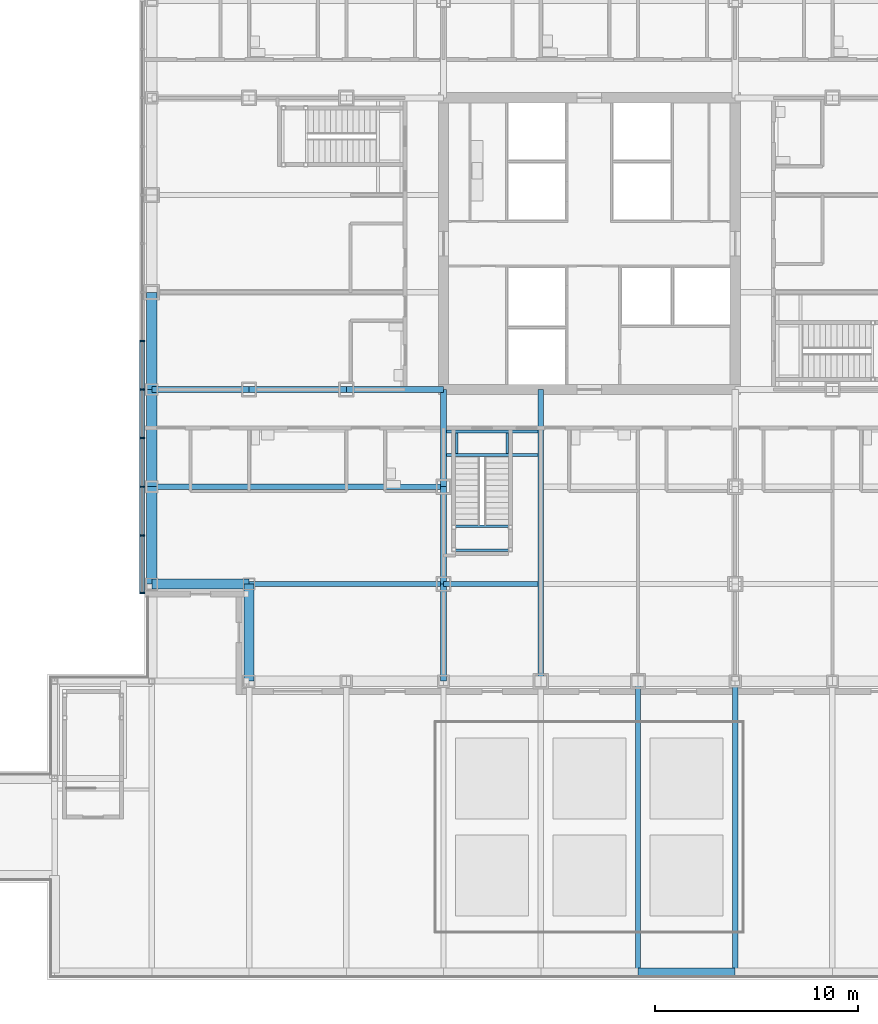
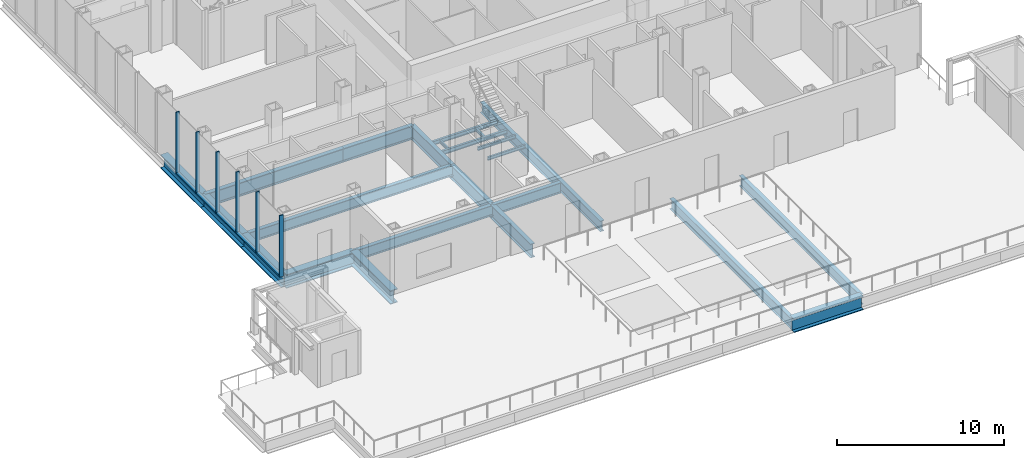
# One storey, part 9 of 24: 24 beams, 11 members, 1 element without a shape of its own.
"""IFC4 building model written with IfcOpenShell, lengths in metres."""

from ifc_helpers import new_model, si_unit, direction, frame, origin, origin_2d, place, context, subcontext, project, spatial, rectangle, i_section, extrude, material, material_profile, profile_set, type_object, element, aggregate, save


model = new_model("IFC4")

# Units and contexts
model_context = context("Model", 3, precision=1e-05, world=origin(), true_north=direction((0.0, 1.0)))
body_context = subcontext(model_context, "Body", "Model", "MODEL_VIEW")
ifc_project = project(units=[si_unit("LENGTHUNIT", "METRE"), si_unit("AREAUNIT", "SQUARE_METRE"), si_unit("VOLUMEUNIT", "CUBIC_METRE"), si_unit("PLANEANGLEUNIT", "RADIAN"), si_unit("MASSUNIT", "GRAM", prefix="KILO")], contexts=[model_context])

# Site, building, storey
site_placement = place(None, origin())
site = spatial("IfcSite", under=ifc_project, at=site_placement, CompositionType="ELEMENT")
building_placement = place(site_placement, origin())
building = spatial("IfcBuilding", under=site, at=building_placement, Name="Kvirike Care Tower", CompositionType="ELEMENT")
storey_placement = place(building_placement, frame((0.0, 0.0, 22.5)))
storey = spatial("IfcBuildingStorey", under=building, at=storey_placement, Name="L05", CompositionType="ELEMENT", Elevation=22.5)

# Curtain wall, members
ifc_material_1 = material(Name="Anodised aluminium stick system", Category="aluminium")
curtain_wall_type = type_object("IfcCurtainWallType", Name="CW-P PODIUM STICK CURTAIN WALL", PredefinedType="NOTDEFINED", material=ifc_material_1)
curtain_wall_placement = place(storey_placement, origin())
curtain_wall = element("IfcCurtainWall", 1, at=curtain_wall_placement, inside=storey, type_object=curtain_wall_type, Name="Curtain wall L05 face 1", PredefinedType="NOTDEFINED")
ifc_material_2 = material(Name="Bronze anodised aluminium mullion", Category="aluminium")
ifc_material_profile_1 = material_profile(ifc_material_2, rectangle(XDim=0.06494140625, YDim=0.25, at=origin_2d()), Name="CW-P MULLION 65x250")
ifc_profile_set_1 = profile_set([ifc_material_profile_1], Name="Bronze anodised aluminium mullion")
member_type_1 = type_object("IfcMemberType", Name="CW-P MULLION 65x250", PredefinedType="MULLION", material=ifc_profile_set_1)
member_1_placement = place(storey_placement, frame((-0.47509765625, 31.199951171875, 0.0), z_axis=(0.0, 0.0, 1.0), x_axis=(0.0, -1.0, 0.0)))
member_1 = element("IfcMember", 2, at=member_1_placement, type_object=member_type_1, Name="CW-P mullion L05 face 1.10", PredefinedType="MULLION", context=body_context, shape_type="SweptSolid", body=[
    extrude(rectangle(XDim=0.06494140625, YDim=0.25, at=origin_2d()), origin(), (0.0, 0.0, 1.0), 4.5),
])
member_2_placement = place(storey_placement, frame((-0.47509765625, 28.800048828125, 0.0), z_axis=(0.0, 0.0, 1.0), x_axis=(0.0, -1.0, 0.0)))
member_2 = element("IfcMember", 3, at=member_2_placement, type_object=member_type_1, Name="CW-P mullion L05 face 1.11", PredefinedType="MULLION", context=body_context, shape_type="SweptSolid", body=[
    extrude(rectangle(XDim=0.06494140625, YDim=0.25, at=origin_2d()), origin(), (0.0, 0.0, 1.0), 4.5),
])
member_3_placement = place(storey_placement, frame((-0.47509765625, 26.39990234375, 0.0), z_axis=(0.0, 0.0, 1.0), x_axis=(0.0, -1.0, 0.0)))
member_3 = element("IfcMember", 4, at=member_3_placement, type_object=member_type_1, Name="CW-P mullion L05 face 1.12", PredefinedType="MULLION", context=body_context, shape_type="SweptSolid", body=[
    extrude(rectangle(XDim=0.06494140625, YDim=0.25, at=origin_2d()), origin(), (0.0, 0.0, 1.0), 4.5),
])
member_4_placement = place(storey_placement, frame((-0.47509765625, 24.0, 0.0), z_axis=(0.0, 0.0, 1.0), x_axis=(0.0, -1.0, 0.0)))
member_4 = element("IfcMember", 5, at=member_4_placement, type_object=member_type_1, Name="CW-P mullion L05 face 1.13", PredefinedType="MULLION", context=body_context, shape_type="SweptSolid", body=[
    extrude(rectangle(XDim=0.06494140625, YDim=0.25, at=origin_2d()), origin(), (0.0, 0.0, 1.0), 4.5),
])
member_5_placement = place(storey_placement, frame((-0.47509765625, 21.60009765625, 0.0), z_axis=(0.0, 0.0, 1.0), x_axis=(0.0, -1.0, 0.0)))
member_5 = element("IfcMember", 6, at=member_5_placement, type_object=member_type_1, Name="CW-P mullion L05 face 1.14", PredefinedType="MULLION", context=body_context, shape_type="SweptSolid", body=[
    extrude(rectangle(XDim=0.06494140625, YDim=0.25, at=origin_2d()), origin(), (0.0, 0.0, 1.0), 4.5),
])
member_6_placement = place(storey_placement, frame((-0.47509765625, 18.757568359375, 0.0), z_axis=(0.0, 0.0, 1.0), x_axis=(0.0, -1.0, 0.0)))
member_6 = element("IfcMember", 7, at=member_6_placement, type_object=member_type_1, Name="CW-P mullion L05 face 1.15", PredefinedType="MULLION", context=body_context, shape_type="SweptSolid", body=[
    extrude(rectangle(XDim=0.06494140625, YDim=0.25, at=origin_2d()), origin(), (0.0, 0.0, 1.0), 4.5),
])
ifc_material_3 = material(Name="Bronze anodised aluminium transom", Category="aluminium")
ifc_material_profile_2 = material_profile(ifc_material_3, rectangle(XDim=0.25, YDim=0.10009765625, at=origin_2d()), Name="CW-P TRANSOM 250x100")
ifc_profile_set_2 = profile_set([ifc_material_profile_2], Name="Bronze anodised aluminium transom")
member_type_2 = type_object("IfcMemberType", Name="CW-P TRANSOM 250x100", PredefinedType="USERDEFINED", material=ifc_profile_set_2)
member_7_placement = place(storey_placement, frame((-0.47509765625, 31.16748046875, 0.050048828125), z_axis=(0.0, -1.0, 0.0), x_axis=(1.0, 0.0, 0.0)))
member_7 = element("IfcMember", 8, at=member_7_placement, type_object=member_type_2, Name="CW-P sill transom L05 face 1.10", ObjectType="TRANSOM", PredefinedType="USERDEFINED", context=body_context, shape_type="SweptSolid", body=[
    extrude(rectangle(XDim=0.25, YDim=0.10009765625, at=origin_2d()), origin(), (0.0, 0.0, 1.0), 2.3349609375),
])
member_8_placement = place(storey_placement, frame((-0.47509765625, 28.767578125, 0.050048828125), z_axis=(0.0, -1.0, 0.0), x_axis=(1.0, 0.0, 0.0)))
member_8 = element("IfcMember", 9, at=member_8_placement, type_object=member_type_2, Name="CW-P sill transom L05 face 1.11", ObjectType="TRANSOM", PredefinedType="USERDEFINED", context=body_context, shape_type="SweptSolid", body=[
    extrude(rectangle(XDim=0.25, YDim=0.10009765625, at=origin_2d()), origin(), (0.0, 0.0, 1.0), 2.3349609375),
])
member_9_placement = place(storey_placement, frame((-0.47509765625, 26.367431640625, 0.050048828125), z_axis=(0.0, -1.0, 0.0), x_axis=(1.0, 0.0, 0.0)))
member_9 = element("IfcMember", 10, at=member_9_placement, type_object=member_type_2, Name="CW-P sill transom L05 face 1.12", ObjectType="TRANSOM", PredefinedType="USERDEFINED", context=body_context, shape_type="SweptSolid", body=[
    extrude(rectangle(XDim=0.25, YDim=0.10009765625, at=origin_2d()), origin(), (0.0, 0.0, 1.0), 2.3349609375),
])
member_10_placement = place(storey_placement, frame((-0.47509765625, 23.967529296875, 0.050048828125), z_axis=(0.0, -1.0, 0.0), x_axis=(1.0, 0.0, 0.0)))
member_10 = element("IfcMember", 11, at=member_10_placement, type_object=member_type_2, Name="CW-P sill transom L05 face 1.13", ObjectType="TRANSOM", PredefinedType="USERDEFINED", context=body_context, shape_type="SweptSolid", body=[
    extrude(rectangle(XDim=0.25, YDim=0.10009765625, at=origin_2d()), origin(), (0.0, 0.0, 1.0), 2.3349609375),
])
member_11_placement = place(storey_placement, frame((-0.47509765625, 21.5673828125, 0.050048828125), z_axis=(0.0, -1.0, 0.0), x_axis=(1.0, 0.0, 0.0)))
member_11 = element("IfcMember", 12, at=member_11_placement, type_object=member_type_2, Name="CW-P sill transom L05 face 1.14", ObjectType="TRANSOM", PredefinedType="USERDEFINED", context=body_context, shape_type="SweptSolid", body=[
    extrude(rectangle(XDim=0.25, YDim=0.10009765625, at=origin_2d()), origin(), (0.0, 0.0, 1.0), 2.77734375),
])
aggregate(curtain_wall, [member_1, member_2, member_3, member_4, member_5, member_6, member_7, member_8, member_9, member_10, member_11])

# Beams
ifc_material_4 = material(Name="Steel S355", Category="steel")
ifc_material_profile_3 = material_profile(ifc_material_4, i_section(OverallWidth=0.26806640625, OverallDepth=0.77001953125, WebThickness=0.015625, FlangeThickness=0.025390625, FilletRadius=0.01708984375, at=origin_2d()), Name="IPE 750x196")
ifc_profile_set_3 = profile_set([ifc_material_profile_3], Name="Steel S355")
beam_type_1 = type_object("IfcBeamType", Name="FLOOR BEAM IPE 750x196", PredefinedType="BEAM", material=ifc_profile_set_3)
beam_1_placement = place(storey_placement, frame((4.800048828125, 19.199951171875, -0.554931640625), z_axis=(1.0, 0.0, 0.0), x_axis=(0.0, 1.0, 0.0)))
element("IfcBeam", 13, at=beam_1_placement, inside=storey, type_object=beam_type_1, Name="Floor Beam E4-E6 L05", PredefinedType="BEAM", context=body_context, shape_type="SweptSolid", body=[
    extrude(i_section(OverallWidth=0.26806640625, OverallDepth=0.77001953125, WebThickness=0.015625, FlangeThickness=0.025390625, FilletRadius=0.01708984375, at=origin_2d()), origin(), (0.0, 0.0, 1.0), 9.599853515625),
])
beam_2_placement = place(storey_placement, frame((14.39990234375, 19.199951171875, -0.554931640625), z_axis=(1.0, 0.0, 0.0), x_axis=(0.0, 1.0, 0.0)))
element("IfcBeam", 14, at=beam_2_placement, inside=storey, type_object=beam_type_1, Name="Floor Beam E6-E7 L05", PredefinedType="BEAM", context=body_context, shape_type="SweptSolid", body=[
    extrude(i_section(OverallWidth=0.26806640625, OverallDepth=0.77001953125, WebThickness=0.015625, FlangeThickness=0.025390625, FilletRadius=0.01708984375, at=origin_2d()), origin(), (0.0, 0.0, 1.0), 4.666015625),
])
beam_3_placement = place(storey_placement, frame((0.0, 24.0, -0.554931640625), z_axis=(1.0, 0.0, 0.0), x_axis=(0.0, 1.0, 0.0)))
element("IfcBeam", 15, at=beam_3_placement, inside=storey, type_object=beam_type_1, Name="Floor Beam F3-F6 L05", PredefinedType="BEAM", context=body_context, shape_type="SweptSolid", body=[
    extrude(i_section(OverallWidth=0.26806640625, OverallDepth=0.77001953125, WebThickness=0.015625, FlangeThickness=0.025390625, FilletRadius=0.01708984375, at=origin_2d()), origin(), (0.0, 0.0, 1.0), 14.39990234375),
])
beam_4_placement = place(storey_placement, frame((19.199951171875, 14.39990234375, -0.554931640625), z_axis=(0.0, 1.0, 0.0), x_axis=(-1.0, 0.0, 0.0)))
element("IfcBeam", 16, at=beam_4_placement, inside=storey, type_object=beam_type_1, Name="Floor Beam D7-G7 L05", PredefinedType="BEAM", context=body_context, shape_type="SweptSolid", body=[
    extrude(i_section(OverallWidth=0.26806640625, OverallDepth=0.77001953125, WebThickness=0.015625, FlangeThickness=0.025390625, FilletRadius=0.01708984375, at=origin_2d()), origin(), (0.0, 0.0, 1.0), 14.400146484375),
])
for number, where, z_axis, x_axis, name in (
    (17, (24.0, 0.0, -0.554931640625), (0.0, 1.0, 0.0), (-1.0, 0.0, 0.0), "Floor Beam A8-D8 L05"),
    (18, (28.800048828125, 0.0, -0.554931640625), (0.0, 1.0, 0.0), (-1.0, 0.0, 0.0), "Floor Beam A9-D9 L05"),
):
    element("IfcBeam", number, at=place(storey_placement, frame(where, z_axis=z_axis, x_axis=x_axis)), inside=storey, type_object=beam_type_1, Name=name, PredefinedType="BEAM", context=body_context, shape_type="SweptSolid", body=[
        extrude(i_section(OverallWidth=0.26806640625, OverallDepth=0.77001953125, WebThickness=0.015625, FlangeThickness=0.025390625, FilletRadius=0.01708984375, at=origin_2d()), origin(), (0.0, 0.0, 1.0), 14.39990234375),
    ])
ifc_material_5 = material(Name="Steel S355", Category="steel")
ifc_material_profile_4 = material_profile(ifc_material_5, i_section(OverallWidth=0.300048828125, OverallDepth=1.0, WebThickness=0.01904296875, FlangeThickness=0.035888671875, FilletRadius=0.030029296875, at=origin_2d()), Name="HE 1000 B")
ifc_profile_set_4 = profile_set([ifc_material_profile_4], Name="Steel S355")
beam_type_2 = type_object("IfcBeamType", Name="FRAME BEAM HE 1000 B", PredefinedType="BEAM", material=ifc_profile_set_4)
for number, where, z_axis, x_axis, name in (
    (19, (0.0, 28.800048828125, -0.669921875), (1.0, 0.0, 0.0), (0.0, 1.0, 0.0), "Frame Beam G3-G4 L05"),
    (20, (4.800048828125, 28.800048828125, -0.669921875), (1.0, 0.0, 0.0), (0.0, 1.0, 0.0), "Frame Beam G4-G5 L05"),
):
    element("IfcBeam", number, at=place(storey_placement, frame(where, z_axis=z_axis, x_axis=x_axis)), inside=storey, type_object=beam_type_2, Name=name, PredefinedType="BEAM", context=body_context, shape_type="SweptSolid", body=[
        extrude(i_section(OverallWidth=0.300048828125, OverallDepth=1.0, WebThickness=0.01904296875, FlangeThickness=0.035888671875, FilletRadius=0.030029296875, at=origin_2d()), origin(), (0.0, 0.0, 1.0), 4.800048828125),
    ])
beam_5_placement = place(storey_placement, frame((9.60009765625, 28.800048828125, -0.669921875), z_axis=(1.0, 0.0, 0.0), x_axis=(0.0, 1.0, 0.0)))
element("IfcBeam", 21, at=beam_5_placement, inside=storey, type_object=beam_type_2, Name="Frame Beam G5-G6 L05", PredefinedType="BEAM", context=body_context, shape_type="SweptSolid", body=[
    extrude(i_section(OverallWidth=0.300048828125, OverallDepth=1.0, WebThickness=0.01904296875, FlangeThickness=0.035888671875, FilletRadius=0.030029296875, at=origin_2d()), origin(), (0.0, 0.0, 1.0), 4.7998046875),
])
for number, where, z_axis, x_axis, name in (
    (22, (14.39990234375, 14.39990234375, -0.669921875), (0.0, 1.0, 0.0), (-1.0, 0.0, 0.0), "Frame Beam D6-E6 L05"),
    (23, (14.39990234375, 19.199951171875, -0.669921875), (0.0, 1.0, 0.0), (-1.0, 0.0, 0.0), "Frame Beam E6-F6 L05"),
    (24, (14.39990234375, 24.0, -0.669921875), (0.0, 1.0, 0.0), (-1.0, 0.0, 0.0), "Frame Beam F6-G6 L05"),
):
    element("IfcBeam", number, at=place(storey_placement, frame(where, z_axis=z_axis, x_axis=x_axis)), inside=storey, type_object=beam_type_2, Name=name, PredefinedType="BEAM", context=body_context, shape_type="SweptSolid", body=[
        extrude(i_section(OverallWidth=0.300048828125, OverallDepth=1.0, WebThickness=0.01904296875, FlangeThickness=0.035888671875, FilletRadius=0.030029296875, at=origin_2d()), origin(), (0.0, 0.0, 1.0), 4.800048828125),
    ])
ifc_material_6 = material(Name="Steel S355", Category="steel")
ifc_material_profile_5 = material_profile(ifc_material_6, i_section(OverallWidth=0.5, OverallDepth=1.0, WebThickness=0.030029296875, FlangeThickness=0.06005859375, at=origin_2d()), Name="PG 1000x500x30x60")
ifc_profile_set_5 = profile_set([ifc_material_profile_5], Name="Steel S355")
beam_type_3 = type_object("IfcBeamType", Name="SPANDREL PG 1000x500x30x60", PredefinedType="SPANDREL", material=ifc_profile_set_5)
for number, where, z_axis, x_axis, name in (
    (25, (24.0, 0.0, -0.669921875), (1.0, 0.0, 0.0), (0.0, 1.0, 0.0), "Spandrel A8-A9 L05"),
    (26, (0.0, 19.199951171875, -0.669921875), (1.0, 0.0, 0.0), (0.0, 1.0, 0.0), "Spandrel E3-E4 L05"),
    (27, (0.0, 19.199951171875, -0.669921875), (0.0, 1.0, 0.0), (-1.0, 0.0, 0.0), "Spandrel E3-F3 L05"),
    (28, (0.0, 24.0, -0.669921875), (0.0, 1.0, 0.0), (-1.0, 0.0, 0.0), "Spandrel F3-G3 L05"),
    (29, (0.0, 28.800048828125, -0.669921875), (0.0, 1.0, 0.0), (-1.0, 0.0, 0.0), "Spandrel G3-H3 L05"),
    (30, (4.800048828125, 14.39990234375, -0.669921875), (0.0, 1.0, 0.0), (-1.0, 0.0, 0.0), "Spandrel D4-E4 L05"),
):
    element("IfcBeam", number, at=place(storey_placement, frame(where, z_axis=z_axis, x_axis=x_axis)), inside=storey, type_object=beam_type_3, Name=name, PredefinedType="SPANDREL", context=body_context, shape_type="SweptSolid", body=[
        extrude(i_section(OverallWidth=0.5, OverallDepth=1.0, WebThickness=0.030029296875, FlangeThickness=0.06005859375, at=origin_2d()), origin(), (0.0, 0.0, 1.0), 4.800048828125),
    ])
ifc_material_7 = material(Name="Steel S355", Category="steel")
ifc_material_profile_6 = material_profile(ifc_material_7, i_section(OverallWidth=0.1201171875, OverallDepth=0.239990234375, WebThickness=0.006103515625, FlangeThickness=0.009765625, FilletRadius=0.014892578125, at=origin_2d()), Name="IPE 240")
ifc_profile_set_6 = profile_set([ifc_material_profile_6], Name="Steel S355")
beam_type_4 = type_object("IfcBeamType", Name="STAIR LANDING BEAM IPE 240", PredefinedType="BEAM", material=ifc_profile_set_6)
for number, where, z_axis, x_axis, name in (
    (31, (15.0, 20.860107421875, 1.929931640625), (1.0, 0.0, 0.0), (0.0, 1.0, 0.0), "Stair 5 landing beam back L05"),
    (32, (15.0, 22.0400390625, 1.929931640625), (1.0, 0.0, 0.0), (0.0, 1.0, 0.0), "Stair 5 landing beam front L05"),
):
    element("IfcBeam", number, at=place(storey_placement, frame(where, z_axis=z_axis, x_axis=x_axis)), inside=storey, type_object=beam_type_4, Name=name, PredefinedType="BEAM", context=body_context, shape_type="SweptSolid", body=[
        extrude(i_section(OverallWidth=0.1201171875, OverallDepth=0.239990234375, WebThickness=0.006103515625, FlangeThickness=0.009765625, FilletRadius=0.014892578125, at=origin_2d()), origin(), (0.0, 0.0, 1.0), 2.60009765625),
    ])
for number, where, z_axis, x_axis, name in (
    (33, (15.06005859375, 25.64990234375, -0.320068359375), (0.0, 1.0, 0.0), (-1.0, 0.0, 0.0), "Stair 5 landing edge beam 1 L05"),
    (34, (17.5400390625, 25.64990234375, -0.320068359375), (0.0, 1.0, 0.0), (-1.0, 0.0, 0.0), "Stair 5 landing edge beam 2 L05"),
):
    element("IfcBeam", number, at=place(storey_placement, frame(where, z_axis=z_axis, x_axis=x_axis)), inside=storey, type_object=beam_type_4, Name=name, PredefinedType="BEAM", context=body_context, shape_type="SweptSolid", body=[
        extrude(i_section(OverallWidth=0.1201171875, OverallDepth=0.239990234375, WebThickness=0.006103515625, FlangeThickness=0.009765625, FilletRadius=0.014892578125, at=origin_2d()), origin(), (0.0, 0.0, 1.0), 1.0),
    ])
ifc_material_8 = material(Name="Steel S355", Category="steel")
ifc_material_profile_7 = material_profile(ifc_material_8, i_section(OverallWidth=0.14990234375, OverallDepth=0.300048828125, WebThickness=0.007080078125, FlangeThickness=0.0107421875, FilletRadius=0.014892578125, at=origin_2d()), Name="IPE 300")
ifc_profile_set_7 = profile_set([ifc_material_profile_7], Name="Steel S355")
beam_type_5 = type_object("IfcBeamType", Name="STAIR TRIMMER IPE 300", PredefinedType="BEAM", material=ifc_profile_set_7)
for number, where, z_axis, x_axis, name in (
    (35, (14.550048828125, 25.574951171875, -0.35009765625), (1.0, 0.0, 0.0), (0.0, 1.0, 0.0), "Stair 5 trimmer 1 L05"),
    (36, (14.550048828125, 26.72509765625, -0.35009765625), (1.0, 0.0, 0.0), (0.0, 1.0, 0.0), "Stair 5 trimmer 2 L05"),
):
    element("IfcBeam", number, at=place(storey_placement, frame(where, z_axis=z_axis, x_axis=x_axis)), inside=storey, type_object=beam_type_5, Name=name, PredefinedType="BEAM", context=body_context, shape_type="SweptSolid", body=[
        extrude(i_section(OverallWidth=0.14990234375, OverallDepth=0.300048828125, WebThickness=0.007080078125, FlangeThickness=0.0107421875, FilletRadius=0.014892578125, at=origin_2d()), origin(), (0.0, 0.0, 1.0), 4.515869140625),
    ])

save(model, "model.ifc")
